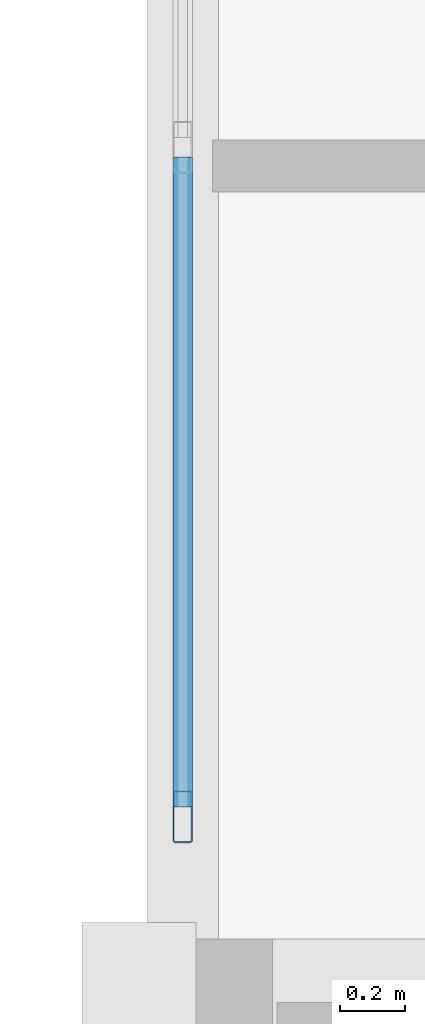
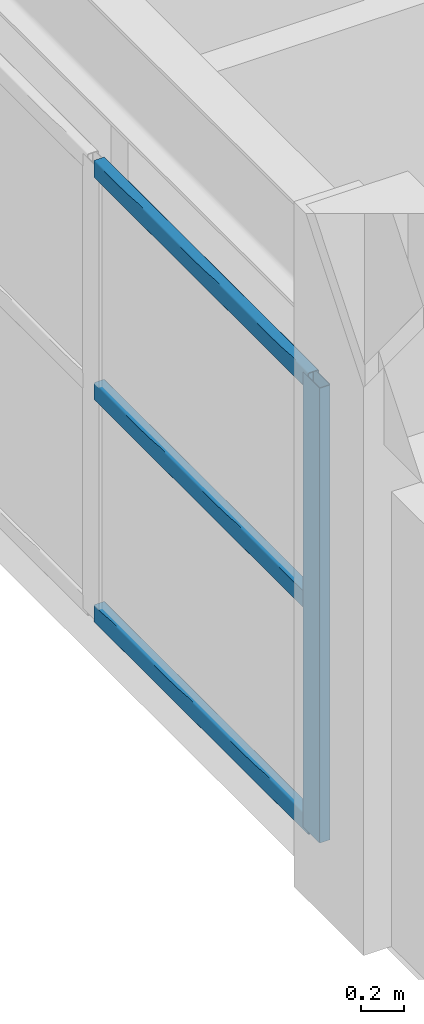
# One storey, part 20 of 101: 4 members, 1 element without a shape of its own.
"""IFC4 building model written with IfcOpenShell, lengths in metres."""

import ifcopenshell
import ifcopenshell.guid

model = None  # the IFC model being written
_history = None  # IfcOwnerHistory: only IFC2X3 demands one
_inside = {}  # id of a spatial element -> (the spatial element, [elements in it])
_under = {}  # id of a project, library or spatial element -> (it, [spatial elements below it])
_declared = {}  # id of a project -> (the project, [libraries it declares])
_typed = {}  # id of a type object -> (the type object, [elements of that type])
_made_of = {}  # id of a material, layer set ... -> (it, [elements and type objects made of it])


def new_model(schema):
    """Start an empty IFC model of exactly this schema.

    Asked for "IFC4X3", IfcOpenShell would pick the latest addendum, in which some entities
    have other attributes; the version numbers below select the first issue.
    IFC2X3 requires an IfcOwnerHistory on every rooted entity: one is made here for all.
    """
    global model, _history
    if schema == "IFC4X3":
        model = ifcopenshell.file(schema_version=(4, 3, 0, 0))
    else:
        model = ifcopenshell.file(schema=schema)
    _inside.clear()
    _under.clear()
    _declared.clear()
    _typed.clear()
    _made_of.clear()
    _history = None
    if model.schema == "IFC2X3":
        org = make("IfcOrganization", Name="unknown")
        user = make(
            "IfcPersonAndOrganization",
            ThePerson=make("IfcPerson", FamilyName="unknown"),
            TheOrganization=org,
        )
        app = make(
            "IfcApplication",
            ApplicationDeveloper=org,
            Version="unknown",
            ApplicationFullName="unknown",
            ApplicationIdentifier="unknown",
        )
        _history = make(
            "IfcOwnerHistory",
            OwningUser=user,
            OwningApplication=app,
            ChangeAction="ADDED",
            CreationDate=0,
        )
    return model


def make(cls, **values):
    """One entity of the class cls with the attributes given. An attribute that is None is left unset."""
    return model.create_entity(
        cls, **{name: value for name, value in values.items() if value is not None}
    )


def rooted(cls, **values):
    """An entity with a GlobalId (a new one), such as an element, a storey or a relation."""
    return make(cls, GlobalId=ifcopenshell.guid.new(), OwnerHistory=_history, **values)


def si_unit(unit_type, name, prefix=None):
    """IfcSIUnit, for example si_unit("LENGTHUNIT", "METRE", prefix="MILLI")."""
    return make("IfcSIUnit", UnitType=unit_type, Prefix=prefix, Name=name)


def assignment(units):
    """IfcUnitAssignment: the units of a project."""
    return None if units is None else make("IfcUnitAssignment", Units=units)


def point(xyz):
    """IfcCartesianPoint."""
    return None if xyz is None else make("IfcCartesianPoint", Coordinates=xyz)


def direction(xyz):
    """IfcDirection."""
    return None if xyz is None else make("IfcDirection", DirectionRatios=xyz)


def frame(location, z_axis=None, x_axis=None):
    """IfcAxis2Placement3D, a coordinate frame: its origin and axes. An axis left out is left unset."""
    return make(
        "IfcAxis2Placement3D",
        Location=point(location),
        Axis=direction(z_axis),
        RefDirection=direction(x_axis),
    )


def frame_2d(location, x_axis=None):
    """IfcAxis2Placement2D, a coordinate frame in the plane: its origin and x axis."""
    return make(
        "IfcAxis2Placement2D", Location=point(location), RefDirection=direction(x_axis)
    )


def origin():
    """The frame at (0, 0, 0) with its axes left unset."""
    return frame((0.0, 0.0, 0.0))


def origin_2d():
    """The frame at (0, 0) in the plane with its x axis left unset."""
    return frame_2d((0.0, 0.0))


def place(relative_to, where):
    """IfcLocalPlacement: puts the frame where relative to a parent placement (None: the world)."""
    return make(
        "IfcLocalPlacement", PlacementRelTo=relative_to, RelativePlacement=where
    )


def context(
    kind, dimensions, precision=None, world=None, true_north=None, identifier=None
):
    """IfcGeometricRepresentationContext, for example the 3D "Model" context."""
    return make(
        "IfcGeometricRepresentationContext",
        ContextIdentifier=identifier,
        ContextType=kind,
        CoordinateSpaceDimension=dimensions,
        Precision=precision,
        WorldCoordinateSystem=world,
        TrueNorth=true_north,
    )


def subcontext(parent, identifier, kind, view, scale=None):
    """IfcGeometricRepresentationSubContext, for example "Body" below "Model"."""
    return make(
        "IfcGeometricRepresentationSubContext",
        ContextIdentifier=identifier,
        ContextType=kind,
        ParentContext=parent,
        TargetScale=scale,
        TargetView=view,
    )


def project(units=None, contexts=None):
    """IfcProject with its units and contexts."""
    return rooted(
        "IfcProject",
        Name="project",
        RepresentationContexts=contexts,
        UnitsInContext=assignment(units),
    )


def spatial(cls, under=None, at=None, **own):
    """A site, building, storey or space (cls), placed at a placement, below another one or the project."""
    s = rooted(cls, ObjectPlacement=at, **own)
    if under is not None:
        _under.setdefault(under.id(), (under, []))[1].append(s)
    return s


def profile(cls, at=None, kind="AREA", **sizes):
    """A parametric profile (cls). Its sizes go by their IFC names, for example OverallWidth=200.0."""
    return make(cls, ProfileType=kind, Position=at, **sizes)


def hollow_rectangle(**sizes):
    """IfcRectangleHollowProfileDef."""
    return profile("IfcRectangleHollowProfileDef", **sizes)


def extrude(swept, where, along, depth):
    """IfcExtrudedAreaSolid: the profile swept, set in the frame where, extruded along a direction by depth."""
    return make(
        "IfcExtrudedAreaSolid",
        SweptArea=swept,
        Position=where,
        ExtrudedDirection=direction(along),
        Depth=depth,
    )


def shape(context_of_items, identifier, shape_type, items):
    """IfcShapeRepresentation: the items that make up one representation, for example the "Body"."""
    return make(
        "IfcShapeRepresentation",
        ContextOfItems=context_of_items,
        RepresentationIdentifier=identifier,
        RepresentationType=shape_type,
        Items=items,
    )


def material(Name=None, Category=None):
    """IfcMaterial."""
    return make("IfcMaterial", Name=Name, Category=Category)


def material_profile(
    of_material, cross_section, Name=None, Category=None, Priority=None
):
    """IfcMaterialProfile: a cross section and its material."""
    return make(
        "IfcMaterialProfile",
        Name=Name,
        Material=of_material,
        Profile=cross_section,
        Priority=Priority,
        Category=Category,
    )


def profile_set(profiles, Name=None, composite=None):
    """IfcMaterialProfileSet."""
    return make(
        "IfcMaterialProfileSet",
        Name=Name,
        MaterialProfiles=profiles,
        CompositeProfile=composite,
    )


def made_of(thing, what):
    """Note that an element or type object is made of a material, layer set ...; save() writes the relation."""
    if what is not None:
        _made_of.setdefault(what.id(), (what, []))[1].append(thing)
    return thing


def type_object(cls, material=None, **own):
    """A type object (cls), such as IfcWallType, which elements share."""
    return made_of(rooted(cls, **own), material)


def element(
    cls,
    number,
    at=None,
    inside=None,
    cuts=None,
    type_object=None,
    material=None,
    context=None,
    identifier="Body",
    shape_type=None,
    held_by="IfcProductDefinitionShape",
    body=None,
    shapes=None,
    **own,
):
    """One element of the class cls, such as IfcWall. Its Tag is "e" and its number.

    at: its placement. inside: the storey or other place that contains it. cuts: it is an
    opening in that element (IfcRelVoidsElement). A single representation is given by context,
    identifier, shape_type and body (its items); several are given by shapes. held_by: the class
    of the entity that holds the representations. save() writes the other relations.
    """
    e = rooted(cls, Tag="e%d" % number, ObjectPlacement=at, **own)
    if body is not None:
        shapes = [shape(context, identifier, shape_type, body)]
    if shapes is not None:
        e.Representation = make(held_by, Representations=shapes)
    if inside is not None:
        _inside.setdefault(inside.id(), (inside, []))[1].append(e)
    if cuts is not None:
        rooted(
            "IfcRelVoidsElement", RelatingBuildingElement=cuts, RelatedOpeningElement=e
        )
    if type_object is not None:
        _typed.setdefault(type_object.id(), (type_object, []))[1].append(e)
    return made_of(e, material)


def aggregate(whole, parts):
    """IfcRelAggregates: a whole, such as a stair, and the parts it consists of."""
    return rooted("IfcRelAggregates", RelatingObject=whole, RelatedObjects=parts)


def save(model, path):
    """Write the relations noted so far, then the file.

    IfcRelAggregates (storeys below a building ...), IfcRelContainedInSpatialStructure (elements
    in a storey), IfcRelDefinesByType, IfcRelAssociatesMaterial and IfcRelDeclares: one each for
    every whole, place, type object, material and project.
    """
    for whole, parts in _under.values():
        aggregate(whole, parts)
    for where, things in _inside.values():
        rooted(
            "IfcRelContainedInSpatialStructure",
            RelatedElements=things,
            RelatingStructure=where,
        )
    for kind, things in _typed.values():
        rooted("IfcRelDefinesByType", RelatedObjects=things, RelatingType=kind)
    for what, things in _made_of.values():
        rooted("IfcRelAssociatesMaterial", RelatedObjects=things, RelatingMaterial=what)
    for by, libraries in _declared.values():
        rooted("IfcRelDeclares", RelatingContext=by, RelatedDefinitions=libraries)
    model.write(path)


model = new_model("IFC4")

# Units and contexts
model_context = context("Model", 3, precision=1e-05, world=origin(), true_north=direction((0.0, 1.0)))
body_context = subcontext(model_context, "Body", "Model", "MODEL_VIEW")
ifc_project = project(units=[si_unit("LENGTHUNIT", "METRE"), si_unit("AREAUNIT", "SQUARE_METRE"), si_unit("VOLUMEUNIT", "CUBIC_METRE"), si_unit("PLANEANGLEUNIT", "RADIAN"), si_unit("MASSUNIT", "GRAM", prefix="KILO")], contexts=[model_context])

# Site, building, storey
site_placement = place(None, origin())
site = spatial("IfcSite", under=ifc_project, at=site_placement, CompositionType="ELEMENT")
building_placement = place(site_placement, origin())
building = spatial("IfcBuilding", under=site, at=building_placement, Name="Qasida Concert Hall", CompositionType="ELEMENT")
storey_placement = place(building_placement, frame((0.0, 0.0, 13.199951171875)))
storey = spatial("IfcBuildingStorey", under=building, at=storey_placement, Name="L03", CompositionType="ELEMENT", Elevation=13.199951171875)

# Curtain wall, members
ifc_material_1 = material(Name="Architectural bronze-anodized aluminium and low-E glass", Category="aluminium")
curtain_wall_type = type_object("IfcCurtainWallType", Name="CW-09", PredefinedType="NOTDEFINED", material=ifc_material_1)
curtain_wall_placement = place(storey_placement, origin())
curtain_wall = element("IfcCurtainWall", 1, at=curtain_wall_placement, inside=storey, type_object=curtain_wall_type, Name="L03 curtain wall CW-09 0127", PredefinedType="NOTDEFINED")
ifc_material_2 = material(Name="Architectural bronze-anodized aluminium EN AW-6063", Category="aluminium")
ifc_material_profile_1 = material_profile(ifc_material_2, hollow_rectangle(XDim=0.06005859375, YDim=0.159912109375, WallThickness=0.00390625, InnerFilletRadius=0.00390625, OuterFilletRadius=0.008056640625, at=origin_2d()), Name="CWM 160x60x4")
ifc_profile_set_1 = profile_set([ifc_material_profile_1], Name="Architectural bronze-anodized aluminium EN AW-6063")
member_type_1 = type_object("IfcMemberType", Name="MB-CWM-3", PredefinedType="MULLION", material=ifc_profile_set_1)
member_1_placement = place(storey_placement, frame((0.0, 38.14990234375, 0.0), z_axis=(0.0, 0.0, 1.0), x_axis=(-1.0, 0.0, 0.0)))
member_1 = element("IfcMember", 2, at=member_1_placement, type_object=member_type_1, Name="CW-09 mullion 1", PredefinedType="MULLION", context=body_context, shape_type="SweptSolid", body=[
    extrude(hollow_rectangle(XDim=0.06005859375, YDim=0.159912109375, WallThickness=0.00390625, InnerFilletRadius=0.00390625, OuterFilletRadius=0.008056640625, at=origin_2d()), origin(), (0.0, 0.0, 1.0), 2.590087890625),
])
ifc_material_profile_2 = material_profile(ifc_material_2, hollow_rectangle(XDim=0.06005859375, YDim=0.10009765625, WallThickness=0.00341796875, InnerFilletRadius=0.00341796875, OuterFilletRadius=0.007080078125, at=origin_2d()), Name="CWT 100x60x3.5")
ifc_profile_set_2 = profile_set([ifc_material_profile_2], Name="Architectural bronze-anodized aluminium EN AW-6063")
member_type_2 = type_object("IfcMemberType", Name="MB-CWT-3", PredefinedType="USERDEFINED", material=ifc_profile_set_2)
member_2_placement = place(storey_placement, frame((0.0, 38.179931640625, 0.030029296875), z_axis=(0.0, 1.0, 0.0), x_axis=(-1.0, 0.0, 0.0)))
member_2 = element("IfcMember", 3, at=member_2_placement, type_object=member_type_2, Name="CW-09 transom 1.1", ObjectType="TRANSOM", PredefinedType="USERDEFINED", context=body_context, shape_type="SweptSolid", body=[
    extrude(hollow_rectangle(XDim=0.06005859375, YDim=0.10009765625, WallThickness=0.00341796875, InnerFilletRadius=0.00341796875, OuterFilletRadius=0.007080078125, at=origin_2d()), origin(), (0.0, 0.0, 1.0), 1.996826171875),
])
member_3_placement = place(storey_placement, frame((0.0, 38.179931640625, 1.295166015625), z_axis=(0.0, 1.0, 0.0), x_axis=(-1.0, 0.0, 0.0)))
member_3 = element("IfcMember", 4, at=member_3_placement, type_object=member_type_2, Name="CW-09 transom 1.2", ObjectType="TRANSOM", PredefinedType="USERDEFINED", context=body_context, shape_type="SweptSolid", body=[
    extrude(hollow_rectangle(XDim=0.06005859375, YDim=0.10009765625, WallThickness=0.00341796875, InnerFilletRadius=0.00341796875, OuterFilletRadius=0.007080078125, at=origin_2d()), origin(), (0.0, 0.0, 1.0), 1.996826171875),
])
member_4_placement = place(storey_placement, frame((0.0, 38.179931640625, 2.56005859375), z_axis=(0.0, 1.0, 0.0), x_axis=(-1.0, 0.0, 0.0)))
member_4 = element("IfcMember", 5, at=member_4_placement, type_object=member_type_2, Name="CW-09 transom 1.3", ObjectType="TRANSOM", PredefinedType="USERDEFINED", context=body_context, shape_type="SweptSolid", body=[
    extrude(hollow_rectangle(XDim=0.06005859375, YDim=0.10009765625, WallThickness=0.00341796875, InnerFilletRadius=0.00341796875, OuterFilletRadius=0.007080078125, at=origin_2d()), origin(), (0.0, 0.0, 1.0), 1.996826171875),
])
aggregate(curtain_wall, [member_1, member_2, member_3, member_4])

save(model, "model.ifc")
